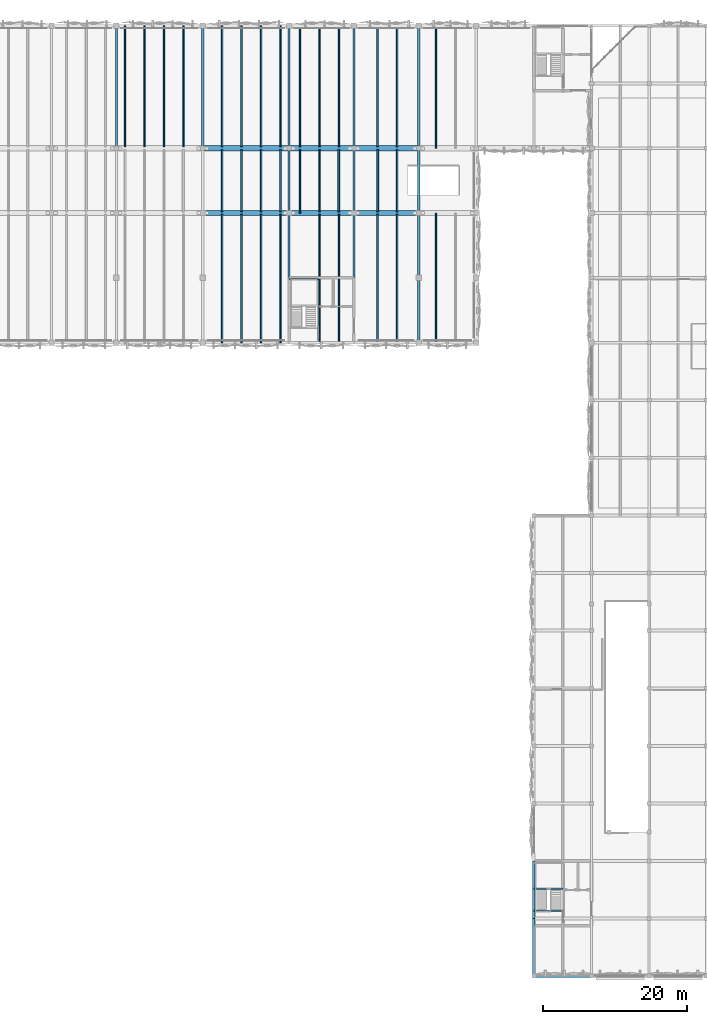
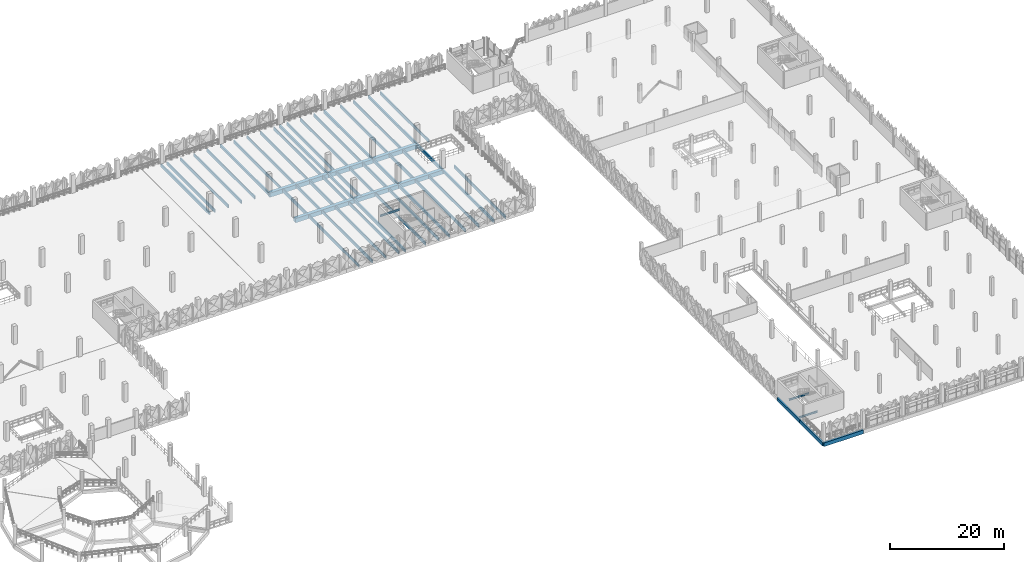
# One storey, part 14 of 83: 55 beams.
"""IFC4 building model written with IfcOpenShell, lengths in metres."""

from ifc_helpers import new_model, si_unit, derived_unit, direction, frame, origin, origin_2d, place, context, subcontext, project, spatial, rectangle, i_section, extrude, material, material_profile, profile_set, type_object, element, save


model = new_model("IFC4")

# Units and contexts
model_context = context("Model", 3, precision=1e-05, world=origin(), true_north=direction((0.0, 1.0)))
body_context = subcontext(model_context, "Body", "Model", "MODEL_VIEW")
ifc_project = project(units=[si_unit("LENGTHUNIT", "METRE"), si_unit("AREAUNIT", "SQUARE_METRE"), si_unit("VOLUMEUNIT", "CUBIC_METRE"), si_unit("PLANEANGLEUNIT", "RADIAN"), si_unit("MASSUNIT", "GRAM", prefix="KILO"), si_unit("THERMODYNAMICTEMPERATUREUNIT", "KELVIN"), derived_unit("THERMALTRANSMITTANCEUNIT", [(si_unit("POWERUNIT", "WATT"), 1), (si_unit("AREAUNIT", "SQUARE_METRE"), -1), (si_unit("THERMODYNAMICTEMPERATUREUNIT", "KELVIN"), -1)])], contexts=[model_context])

# Site, building, storey
site_placement = place(None, origin())
site = spatial("IfcSite", under=ifc_project, at=site_placement, CompositionType="ELEMENT")
building_placement = place(site_placement, origin())
building = spatial("IfcBuilding", under=site, at=building_placement, Name="Haiyu Intermodal Mobility Hub", CompositionType="ELEMENT")
storey_placement = place(building_placement, frame((0.0, 0.0, 13.39990234375)))
storey = spatial("IfcBuildingStorey", under=building, at=storey_placement, Name="L03", CompositionType="ELEMENT", Elevation=13.39990234375)

# Beams
ifc_material_1 = material(Name="Concrete C40", Category="concrete")
ifc_material_profile_1 = material_profile(ifc_material_1, rectangle(XDim=0.39990234375, YDim=0.800048828125, at=origin_2d()), Name="RCB400x800")
ifc_profile_set_1 = profile_set([ifc_material_profile_1], Name="Concrete C40")
beam_type_1 = type_object("IfcBeamType", Name="BM-CB05", PredefinedType="BEAM", material=ifc_profile_set_1)
beam_1_placement = place(storey_placement, frame((154.0, 16.0, -0.659912109375), z_axis=(1.0, 0.0, 0.0), x_axis=(0.0, 1.0, 0.0)))
element("IfcBeam", 1, at=beam_1_placement, inside=storey, type_object=beam_type_1, Name="BM-V5G-L03-001", PredefinedType="BEAM", context=body_context, shape_type="SweptSolid", body=[
    extrude(rectangle(XDim=0.39990234375, YDim=0.800048828125, at=origin_2d()), origin(), (0.0, 0.0, 1.0), 8.0),
])
ifc_material_profile_2 = material_profile(ifc_material_1, rectangle(XDim=0.35009765625, YDim=0.699951171875, at=origin_2d()), Name="RCB350x700")
ifc_profile_set_2 = profile_set([ifc_material_profile_2], Name="Concrete C40")
beam_type_2 = type_object("IfcBeamType", Name="BM-CB06", PredefinedType="BEAM", material=ifc_profile_set_2)
for number, where, z_axis, x_axis, name in (
    (2, (154.0, 16.0, -0.60986328125), (0.0, 1.0, 0.0), (-1.0, 0.0, 0.0), "BM-V5T-L03-001"),
    (3, (154.0, 24.0, -0.60986328125), (0.0, 1.0, 0.0), (-1.0, 0.0, 0.0), "BM-V5T-L03-002"),
):
    element("IfcBeam", number, at=place(storey_placement, frame(where, z_axis=z_axis, x_axis=x_axis)), inside=storey, type_object=beam_type_2, Name=name, PredefinedType="BEAM", context=body_context, shape_type="SweptSolid", body=[
        extrude(rectangle(XDim=0.35009765625, YDim=0.699951171875, at=origin_2d()), origin(), (0.0, 0.0, 1.0), 8.0),
    ])
ifc_material_profile_3 = material_profile(ifc_material_1, rectangle(XDim=0.300048828125, YDim=0.60009765625, at=origin_2d()), Name="RCB300x600")
ifc_profile_set_3 = profile_set([ifc_material_profile_3], Name="Concrete C40")
beam_type_3 = type_object("IfcBeamType", Name="BM-CB07", PredefinedType="JOIST", material=ifc_profile_set_3)
for number, where, z_axis, x_axis, name in (
    (4, (96.0, 131.0, -0.574951171875), (0.0, 1.0, 0.0), (-1.0, 0.0, 0.0), "BM-V4E-L03-026"),
    (5, (108.0, 131.0, -0.574951171875), (0.0, 1.0, 0.0), (-1.0, 0.0, 0.0), "BM-V4E-L03-029"),
):
    element("IfcBeam", number, at=place(storey_placement, frame(where, z_axis=z_axis, x_axis=x_axis)), inside=storey, type_object=beam_type_3, Name=name, PredefinedType="JOIST", context=body_context, shape_type="SweptSolid", body=[
        extrude(rectangle(XDim=0.300048828125, YDim=0.60009765625, at=origin_2d()), origin(), (0.0, 0.0, 1.0), 17.0),
    ])
beam_2_placement = place(storey_placement, frame((120.0, 104.0, -0.574951171875), z_axis=(0.0, 1.0, 0.0), x_axis=(-1.0, 0.0, 0.0)))
element("IfcBeam", 6, at=beam_2_placement, inside=storey, type_object=beam_type_3, Name="BM-V4E-L03-030", PredefinedType="JOIST", context=body_context, shape_type="SweptSolid", body=[
    extrude(rectangle(XDim=0.300048828125, YDim=0.60009765625, at=origin_2d()), origin(), (0.0, 0.0, 1.0), 18.0),
])
beam_3_placement = place(storey_placement, frame((120.0, 122.0, -0.574951171875), z_axis=(0.0, 1.0, 0.0), x_axis=(-1.0, 0.0, 0.0)))
element("IfcBeam", 7, at=beam_3_placement, inside=storey, type_object=beam_type_3, Name="BM-V4E-L03-031", PredefinedType="JOIST", context=body_context, shape_type="SweptSolid", body=[
    extrude(rectangle(XDim=0.300048828125, YDim=0.60009765625, at=origin_2d()), origin(), (0.0, 0.0, 1.0), 9.0),
])
beam_4_placement = place(storey_placement, frame((120.0, 131.0, -0.574951171875), z_axis=(0.0, 1.0, 0.0), x_axis=(-1.0, 0.0, 0.0)))
element("IfcBeam", 8, at=beam_4_placement, inside=storey, type_object=beam_type_3, Name="BM-V4E-L03-032", PredefinedType="JOIST", context=body_context, shape_type="SweptSolid", body=[
    extrude(rectangle(XDim=0.300048828125, YDim=0.60009765625, at=origin_2d()), origin(), (0.0, 0.0, 1.0), 17.0),
])
beam_5_placement = place(storey_placement, frame((129.0, 104.0, -0.574951171875), z_axis=(0.0, 1.0, 0.0), x_axis=(-1.0, 0.0, 0.0)))
element("IfcBeam", 9, at=beam_5_placement, inside=storey, type_object=beam_type_3, Name="BM-V4E-L03-033", PredefinedType="JOIST", context=body_context, shape_type="SweptSolid", body=[
    extrude(rectangle(XDim=0.300048828125, YDim=0.60009765625, at=origin_2d()), origin(), (0.0, 0.0, 1.0), 18.0),
])
beam_6_placement = place(storey_placement, frame((129.0, 122.0, -0.574951171875), z_axis=(0.0, 1.0, 0.0), x_axis=(-1.0, 0.0, 0.0)))
element("IfcBeam", 10, at=beam_6_placement, inside=storey, type_object=beam_type_3, Name="BM-V4E-L03-034", PredefinedType="JOIST", context=body_context, shape_type="SweptSolid", body=[
    extrude(rectangle(XDim=0.300048828125, YDim=0.60009765625, at=origin_2d()), origin(), (0.0, 0.0, 1.0), 9.0),
])
beam_7_placement = place(storey_placement, frame((129.0, 131.0, -0.574951171875), z_axis=(0.0, 1.0, 0.0), x_axis=(-1.0, 0.0, 0.0)))
element("IfcBeam", 11, at=beam_7_placement, inside=storey, type_object=beam_type_3, Name="BM-V4E-L03-035", PredefinedType="JOIST", context=body_context, shape_type="SweptSolid", body=[
    extrude(rectangle(XDim=0.300048828125, YDim=0.60009765625, at=origin_2d()), origin(), (0.0, 0.0, 1.0), 17.0),
])
beam_8_placement = place(storey_placement, frame((138.0, 104.0, -0.574951171875), z_axis=(0.0, 1.0, 0.0), x_axis=(-1.0, 0.0, 0.0)))
element("IfcBeam", 12, at=beam_8_placement, inside=storey, type_object=beam_type_3, Name="BM-V4E-L03-036", PredefinedType="JOIST", context=body_context, shape_type="SweptSolid", body=[
    extrude(rectangle(XDim=0.300048828125, YDim=0.60009765625, at=origin_2d()), origin(), (0.0, 0.0, 1.0), 18.0),
])
beam_9_placement = place(storey_placement, frame((138.0, 122.0, -0.574951171875), z_axis=(0.0, 1.0, 0.0), x_axis=(-1.0, 0.0, 0.0)))
element("IfcBeam", 13, at=beam_9_placement, inside=storey, type_object=beam_type_3, Name="BM-V4E-L03-037", PredefinedType="JOIST", context=body_context, shape_type="SweptSolid", body=[
    extrude(rectangle(XDim=0.300048828125, YDim=0.60009765625, at=origin_2d()), origin(), (0.0, 0.0, 1.0), 9.0),
])
beam_10_placement = place(storey_placement, frame((138.0, 131.0, -0.574951171875), z_axis=(0.0, 1.0, 0.0), x_axis=(-1.0, 0.0, 0.0)))
element("IfcBeam", 14, at=beam_10_placement, inside=storey, type_object=beam_type_3, Name="BM-V4E-L03-038", PredefinedType="JOIST", context=body_context, shape_type="SweptSolid", body=[
    extrude(rectangle(XDim=0.300048828125, YDim=0.60009765625, at=origin_2d()), origin(), (0.0, 0.0, 1.0), 17.0),
])
ifc_material_2 = material(Name="Precast concrete C50", Category="concrete")
ifc_material_profile_4 = material_profile(ifc_material_2, rectangle(XDim=0.199951171875, YDim=0.659912109375, at=origin_2d()), Name="PC200x660")
ifc_profile_set_4 = profile_set([ifc_material_profile_4], Name="Precast concrete C50")
beam_type_4 = type_object("IfcBeamType", Name="BM-DT03", PredefinedType="JOIST", material=ifc_profile_set_4)
for number, where, z_axis, x_axis, name in (
    (15, (97.199951171875, 131.195068359375, -0.60498046875), (0.0, 1.0, 0.0), (-1.0, 0.0, 0.0), "BM-DT-L03-046"),
    (16, (99.89990234375, 131.195068359375, -0.60498046875), (0.0, 1.0, 0.0), (-1.0, 0.0, 0.0), "BM-DT-L03-049"),
    (17, (102.60009765625, 131.195068359375, -0.60498046875), (0.0, 1.0, 0.0), (-1.0, 0.0, 0.0), "BM-DT-L03-052"),
    (18, (105.300048828125, 131.195068359375, -0.60498046875), (0.0, 1.0, 0.0), (-1.0, 0.0, 0.0), "BM-DT-L03-055"),
):
    element("IfcBeam", number, at=place(storey_placement, frame(where, z_axis=z_axis, x_axis=x_axis)), inside=storey, type_object=beam_type_4, Name=name, PredefinedType="JOIST", context=body_context, shape_type="SweptSolid", body=[
        extrude(rectangle(XDim=0.199951171875, YDim=0.659912109375, at=origin_2d()), origin(), (0.0, 0.0, 1.0), 16.804931640625),
    ])
beam_11_placement = place(storey_placement, frame((110.699951171875, 104.0, -0.60498046875), z_axis=(0.0, 1.0, 0.0), x_axis=(-1.0, 0.0, 0.0)))
element("IfcBeam", 19, at=beam_11_placement, inside=storey, type_object=beam_type_4, Name="BM-DT-L03-056", PredefinedType="JOIST", context=body_context, shape_type="SweptSolid", body=[
    extrude(rectangle(XDim=0.199951171875, YDim=0.659912109375, at=origin_2d()), origin(), (0.0, 0.0, 1.0), 17.804931640625),
])
beam_12_placement = place(storey_placement, frame((110.699951171875, 131.195068359375, -0.60498046875), z_axis=(0.0, 1.0, 0.0), x_axis=(-1.0, 0.0, 0.0)))
element("IfcBeam", 20, at=beam_12_placement, inside=storey, type_object=beam_type_4, Name="BM-DT-L03-058", PredefinedType="JOIST", context=body_context, shape_type="SweptSolid", body=[
    extrude(rectangle(XDim=0.199951171875, YDim=0.659912109375, at=origin_2d()), origin(), (0.0, 0.0, 1.0), 16.804931640625),
])
beam_13_placement = place(storey_placement, frame((113.39990234375, 104.0, -0.60498046875), z_axis=(0.0, 1.0, 0.0), x_axis=(-1.0, 0.0, 0.0)))
element("IfcBeam", 21, at=beam_13_placement, inside=storey, type_object=beam_type_4, Name="BM-DT-L03-059", PredefinedType="JOIST", context=body_context, shape_type="SweptSolid", body=[
    extrude(rectangle(XDim=0.199951171875, YDim=0.659912109375, at=origin_2d()), origin(), (0.0, 0.0, 1.0), 17.804931640625),
])
beam_14_placement = place(storey_placement, frame((113.39990234375, 131.195068359375, -0.60498046875), z_axis=(0.0, 1.0, 0.0), x_axis=(-1.0, 0.0, 0.0)))
element("IfcBeam", 22, at=beam_14_placement, inside=storey, type_object=beam_type_4, Name="BM-DT-L03-061", PredefinedType="JOIST", context=body_context, shape_type="SweptSolid", body=[
    extrude(rectangle(XDim=0.199951171875, YDim=0.659912109375, at=origin_2d()), origin(), (0.0, 0.0, 1.0), 16.804931640625),
])
beam_15_placement = place(storey_placement, frame((116.10009765625, 104.0, -0.60498046875), z_axis=(0.0, 1.0, 0.0), x_axis=(-1.0, 0.0, 0.0)))
element("IfcBeam", 23, at=beam_15_placement, inside=storey, type_object=beam_type_4, Name="BM-DT-L03-062", PredefinedType="JOIST", context=body_context, shape_type="SweptSolid", body=[
    extrude(rectangle(XDim=0.199951171875, YDim=0.659912109375, at=origin_2d()), origin(), (0.0, 0.0, 1.0), 17.804931640625),
])
beam_16_placement = place(storey_placement, frame((116.10009765625, 131.195068359375, -0.60498046875), z_axis=(0.0, 1.0, 0.0), x_axis=(-1.0, 0.0, 0.0)))
element("IfcBeam", 24, at=beam_16_placement, inside=storey, type_object=beam_type_4, Name="BM-DT-L03-064", PredefinedType="JOIST", context=body_context, shape_type="SweptSolid", body=[
    extrude(rectangle(XDim=0.199951171875, YDim=0.659912109375, at=origin_2d()), origin(), (0.0, 0.0, 1.0), 16.804931640625),
])
beam_17_placement = place(storey_placement, frame((118.800048828125, 104.0, -0.60498046875), z_axis=(0.0, 1.0, 0.0), x_axis=(-1.0, 0.0, 0.0)))
element("IfcBeam", 25, at=beam_17_placement, inside=storey, type_object=beam_type_4, Name="BM-DT-L03-065", PredefinedType="JOIST", context=body_context, shape_type="SweptSolid", body=[
    extrude(rectangle(XDim=0.199951171875, YDim=0.659912109375, at=origin_2d()), origin(), (0.0, 0.0, 1.0), 17.804931640625),
])
for number, where, z_axis, x_axis, name in (
    (26, (118.800048828125, 131.195068359375, -0.60498046875), (0.0, 1.0, 0.0), (-1.0, 0.0, 0.0), "BM-DT-L03-067"),
    (27, (121.5, 131.195068359375, -0.60498046875), (0.0, 1.0, 0.0), (-1.0, 0.0, 0.0), "BM-DT-L03-070"),
):
    element("IfcBeam", number, at=place(storey_placement, frame(where, z_axis=z_axis, x_axis=x_axis)), inside=storey, type_object=beam_type_4, Name=name, PredefinedType="JOIST", context=body_context, shape_type="SweptSolid", body=[
        extrude(rectangle(XDim=0.199951171875, YDim=0.659912109375, at=origin_2d()), origin(), (0.0, 0.0, 1.0), 16.804931640625),
    ])
beam_18_placement = place(storey_placement, frame((124.199951171875, 104.0, -0.60498046875), z_axis=(0.0, 1.0, 0.0), x_axis=(-1.0, 0.0, 0.0)))
element("IfcBeam", 28, at=beam_18_placement, inside=storey, type_object=beam_type_4, Name="BM-DT-L03-071", PredefinedType="JOIST", context=body_context, shape_type="SweptSolid", body=[
    extrude(rectangle(XDim=0.199951171875, YDim=0.659912109375, at=origin_2d()), origin(), (0.0, 0.0, 1.0), 17.804931640625),
])
beam_19_placement = place(storey_placement, frame((124.199951171875, 131.195068359375, -0.60498046875), z_axis=(0.0, 1.0, 0.0), x_axis=(-1.0, 0.0, 0.0)))
element("IfcBeam", 29, at=beam_19_placement, inside=storey, type_object=beam_type_4, Name="BM-DT-L03-073", PredefinedType="JOIST", context=body_context, shape_type="SweptSolid", body=[
    extrude(rectangle(XDim=0.199951171875, YDim=0.659912109375, at=origin_2d()), origin(), (0.0, 0.0, 1.0), 16.804931640625),
])
beam_20_placement = place(storey_placement, frame((126.89990234375, 104.0, -0.60498046875), z_axis=(0.0, 1.0, 0.0), x_axis=(-1.0, 0.0, 0.0)))
element("IfcBeam", 30, at=beam_20_placement, inside=storey, type_object=beam_type_4, Name="BM-DT-L03-074", PredefinedType="JOIST", context=body_context, shape_type="SweptSolid", body=[
    extrude(rectangle(XDim=0.199951171875, YDim=0.659912109375, at=origin_2d()), origin(), (0.0, 0.0, 1.0), 17.804931640625),
])
beam_21_placement = place(storey_placement, frame((126.89990234375, 131.195068359375, -0.60498046875), z_axis=(0.0, 1.0, 0.0), x_axis=(-1.0, 0.0, 0.0)))
element("IfcBeam", 31, at=beam_21_placement, inside=storey, type_object=beam_type_4, Name="BM-DT-L03-076", PredefinedType="JOIST", context=body_context, shape_type="SweptSolid", body=[
    extrude(rectangle(XDim=0.199951171875, YDim=0.659912109375, at=origin_2d()), origin(), (0.0, 0.0, 1.0), 16.804931640625),
])
beam_22_placement = place(storey_placement, frame((132.300048828125, 104.0, -0.60498046875), z_axis=(0.0, 1.0, 0.0), x_axis=(-1.0, 0.0, 0.0)))
element("IfcBeam", 32, at=beam_22_placement, inside=storey, type_object=beam_type_4, Name="BM-DT-L03-077", PredefinedType="JOIST", context=body_context, shape_type="SweptSolid", body=[
    extrude(rectangle(XDim=0.199951171875, YDim=0.659912109375, at=origin_2d()), origin(), (0.0, 0.0, 1.0), 17.804931640625),
])
beam_23_placement = place(storey_placement, frame((132.300048828125, 131.195068359375, -0.60498046875), z_axis=(0.0, 1.0, 0.0), x_axis=(-1.0, 0.0, 0.0)))
element("IfcBeam", 33, at=beam_23_placement, inside=storey, type_object=beam_type_4, Name="BM-DT-L03-079", PredefinedType="JOIST", context=body_context, shape_type="SweptSolid", body=[
    extrude(rectangle(XDim=0.199951171875, YDim=0.659912109375, at=origin_2d()), origin(), (0.0, 0.0, 1.0), 16.804931640625),
])
beam_24_placement = place(storey_placement, frame((135.0, 104.0, -0.60498046875), z_axis=(0.0, 1.0, 0.0), x_axis=(-1.0, 0.0, 0.0)))
element("IfcBeam", 34, at=beam_24_placement, inside=storey, type_object=beam_type_4, Name="BM-DT-L03-080", PredefinedType="JOIST", context=body_context, shape_type="SweptSolid", body=[
    extrude(rectangle(XDim=0.199951171875, YDim=0.659912109375, at=origin_2d()), origin(), (0.0, 0.0, 1.0), 17.804931640625),
])
beam_25_placement = place(storey_placement, frame((135.0, 131.195068359375, -0.60498046875), z_axis=(0.0, 1.0, 0.0), x_axis=(-1.0, 0.0, 0.0)))
element("IfcBeam", 35, at=beam_25_placement, inside=storey, type_object=beam_type_4, Name="BM-DT-L03-082", PredefinedType="JOIST", context=body_context, shape_type="SweptSolid", body=[
    extrude(rectangle(XDim=0.199951171875, YDim=0.659912109375, at=origin_2d()), origin(), (0.0, 0.0, 1.0), 16.804931640625),
])
beam_26_placement = place(storey_placement, frame((140.39990234375, 104.0, -0.60498046875), z_axis=(0.0, 1.0, 0.0), x_axis=(-1.0, 0.0, 0.0)))
element("IfcBeam", 36, at=beam_26_placement, inside=storey, type_object=beam_type_4, Name="BM-DT-L03-083", PredefinedType="JOIST", context=body_context, shape_type="SweptSolid", body=[
    extrude(rectangle(XDim=0.199951171875, YDim=0.659912109375, at=origin_2d()), origin(), (0.0, 0.0, 1.0), 18.0),
])
beam_27_placement = place(storey_placement, frame((140.39990234375, 131.0, -0.60498046875), z_axis=(0.0, 1.0, 0.0), x_axis=(-1.0, 0.0, 0.0)))
element("IfcBeam", 37, at=beam_27_placement, inside=storey, type_object=beam_type_4, Name="BM-DT-L03-084", PredefinedType="JOIST", context=body_context, shape_type="SweptSolid", body=[
    extrude(rectangle(XDim=0.199951171875, YDim=0.659912109375, at=origin_2d()), origin(), (0.0, 0.0, 1.0), 17.0),
])
ifc_material_profile_5 = material_profile(ifc_material_2, rectangle(XDim=0.22998046875, YDim=0.68994140625, at=origin_2d()), Name="B230x690")
ifc_profile_set_5 = profile_set([ifc_material_profile_5], Name="Precast concrete C50")
beam_type_5 = type_object("IfcBeamType", Name="BM-DT06", PredefinedType="JOIST", material=ifc_profile_set_5)
for number, where, z_axis, x_axis, name in (
    (38, (110.699951171875, 122.195068359375, -0.619873046875), (0.0, 1.0, 0.0), (-1.0, 0.0, 0.0), "BM-DT-L03-057"),
    (39, (113.39990234375, 122.195068359375, -0.619873046875), (0.0, 1.0, 0.0), (-1.0, 0.0, 0.0), "BM-DT-L03-060"),
    (40, (116.10009765625, 122.195068359375, -0.619873046875), (0.0, 1.0, 0.0), (-1.0, 0.0, 0.0), "BM-DT-L03-063"),
    (41, (118.800048828125, 122.195068359375, -0.619873046875), (0.0, 1.0, 0.0), (-1.0, 0.0, 0.0), "BM-DT-L03-066"),
):
    element("IfcBeam", number, at=place(storey_placement, frame(where, z_axis=z_axis, x_axis=x_axis)), inside=storey, type_object=beam_type_5, Name=name, PredefinedType="JOIST", context=body_context, shape_type="SweptSolid", body=[
        extrude(rectangle(XDim=0.22998046875, YDim=0.68994140625, at=origin_2d()), origin(), (0.0, 0.0, 1.0), 8.60986328125),
    ])
beam_28_placement = place(storey_placement, frame((121.5, 122.0, -0.619873046875), z_axis=(0.0, 1.0, 0.0), x_axis=(-1.0, 0.0, 0.0)))
element("IfcBeam", 42, at=beam_28_placement, inside=storey, type_object=beam_type_5, Name="BM-DT-L03-069", PredefinedType="JOIST", context=body_context, shape_type="SweptSolid", body=[
    extrude(rectangle(XDim=0.22998046875, YDim=0.68994140625, at=origin_2d()), origin(), (0.0, 0.0, 1.0), 8.804931640625),
])
for number, where, z_axis, x_axis, name in (
    (43, (124.199951171875, 122.195068359375, -0.619873046875), (0.0, 1.0, 0.0), (-1.0, 0.0, 0.0), "BM-DT-L03-072"),
    (44, (126.89990234375, 122.195068359375, -0.619873046875), (0.0, 1.0, 0.0), (-1.0, 0.0, 0.0), "BM-DT-L03-075"),
    (45, (132.300048828125, 122.195068359375, -0.619873046875), (0.0, 1.0, 0.0), (-1.0, 0.0, 0.0), "BM-DT-L03-078"),
    (46, (135.0, 122.195068359375, -0.619873046875), (0.0, 1.0, 0.0), (-1.0, 0.0, 0.0), "BM-DT-L03-081"),
):
    element("IfcBeam", number, at=place(storey_placement, frame(where, z_axis=z_axis, x_axis=x_axis)), inside=storey, type_object=beam_type_5, Name=name, PredefinedType="JOIST", context=body_context, shape_type="SweptSolid", body=[
        extrude(rectangle(XDim=0.22998046875, YDim=0.68994140625, at=origin_2d()), origin(), (0.0, 0.0, 1.0), 8.60986328125),
    ])
ifc_material_profile_6 = material_profile(ifc_material_2, rectangle(XDim=0.699951171875, YDim=0.89990234375, at=origin_2d()), Name="PC700x900")
ifc_profile_set_6 = profile_set([ifc_material_profile_6], Name="Precast concrete C50")
beam_type_6 = type_object("IfcBeamType", Name="BM-IT02", PredefinedType="T_BEAM", material=ifc_profile_set_6)
beam_29_placement = place(storey_placement, frame((108.0, 122.0, -0.724853515625), z_axis=(1.0, 0.0, 0.0), x_axis=(0.0, 1.0, 0.0)))
element("IfcBeam", 47, at=beam_29_placement, inside=storey, type_object=beam_type_6, Name="BM-V4G-L03-021", PredefinedType="T_BEAM", context=body_context, shape_type="SweptSolid", body=[
    extrude(rectangle(XDim=0.699951171875, YDim=0.89990234375, at=origin_2d()), origin(), (0.0, 0.0, 1.0), 12.0),
])
for number, where, z_axis, x_axis, name in (
    (48, (120.0, 122.0, -0.724853515625), (1.0, 0.0, 0.0), (0.0, 1.0, 0.0), "BM-V4G-L03-022"),
    (49, (129.0, 122.0, -0.724853515625), (1.0, 0.0, 0.0), (0.0, 1.0, 0.0), "BM-V4G-L03-023"),
):
    element("IfcBeam", number, at=place(storey_placement, frame(where, z_axis=z_axis, x_axis=x_axis)), inside=storey, type_object=beam_type_6, Name=name, PredefinedType="T_BEAM", context=body_context, shape_type="SweptSolid", body=[
        extrude(rectangle(XDim=0.699951171875, YDim=0.89990234375, at=origin_2d()), origin(), (0.0, 0.0, 1.0), 9.0),
    ])
beam_30_placement = place(storey_placement, frame((108.0, 131.0, -0.724853515625), z_axis=(1.0, 0.0, 0.0), x_axis=(0.0, 1.0, 0.0)))
element("IfcBeam", 50, at=beam_30_placement, inside=storey, type_object=beam_type_6, Name="BM-V4G-L03-035", PredefinedType="T_BEAM", context=body_context, shape_type="SweptSolid", body=[
    extrude(rectangle(XDim=0.699951171875, YDim=0.89990234375, at=origin_2d()), origin(), (0.0, 0.0, 1.0), 12.0),
])
for number, where, z_axis, x_axis, name in (
    (51, (120.0, 131.0, -0.724853515625), (1.0, 0.0, 0.0), (0.0, 1.0, 0.0), "BM-V4G-L03-036"),
    (52, (129.0, 131.0, -0.724853515625), (1.0, 0.0, 0.0), (0.0, 1.0, 0.0), "BM-V4G-L03-037"),
):
    element("IfcBeam", number, at=place(storey_placement, frame(where, z_axis=z_axis, x_axis=x_axis)), inside=storey, type_object=beam_type_6, Name=name, PredefinedType="T_BEAM", context=body_context, shape_type="SweptSolid", body=[
        extrude(rectangle(XDim=0.699951171875, YDim=0.89990234375, at=origin_2d()), origin(), (0.0, 0.0, 1.0), 9.0),
    ])
ifc_material_3 = material(Name="Steel Q355C", Category="steel")
ifc_material_profile_7 = material_profile(ifc_material_3, i_section(OverallWidth=0.199951171875, OverallDepth=0.39990234375, WebThickness=0.008056640625, FlangeThickness=0.012939453125, FilletRadius=0.01611328125, at=origin_2d()), Name="HN400x200x8x13")
ifc_profile_set_7 = profile_set([ifc_material_profile_7], Name="Steel Q355C")
beam_type_7 = type_object("IfcBeamType", Name="BM-SB08", PredefinedType="JOIST", material=ifc_profile_set_7)
for number, where, z_axis, x_axis, name in (
    (53, (120.0, 112.780029296875, 1.525146484375), (1.0, 0.0, 0.0), (0.0, 1.0, 0.0), "Stair Half-Landing Rear Beam C6-L03"),
    (54, (154.0, 25.10009765625, -0.52490234375), (1.0, 0.0, 0.0), (0.0, 1.0, 0.0), "Stair Arrival Trimmer Beam C8-L02"),
    (55, (154.0, 28.1298828125, 1.525146484375), (1.0, 0.0, 0.0), (0.0, 1.0, 0.0), "Stair Half-Landing Front Beam C8-L03"),
):
    element("IfcBeam", number, at=place(storey_placement, frame(where, z_axis=z_axis, x_axis=x_axis)), inside=storey, type_object=beam_type_7, Name=name, PredefinedType="JOIST", context=body_context, shape_type="SweptSolid", body=[
        extrude(i_section(OverallWidth=0.199951171875, OverallDepth=0.39990234375, WebThickness=0.008056640625, FlangeThickness=0.012939453125, FilletRadius=0.01611328125, at=origin_2d()), origin(), (0.0, 0.0, 1.0), 4.050048828125),
    ])

save(model, "model.ifc")
